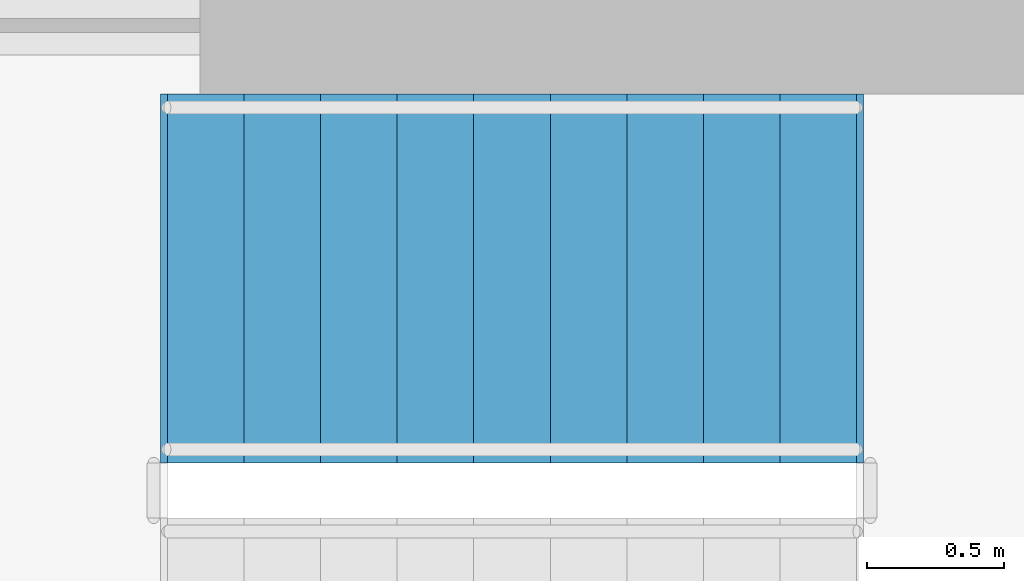
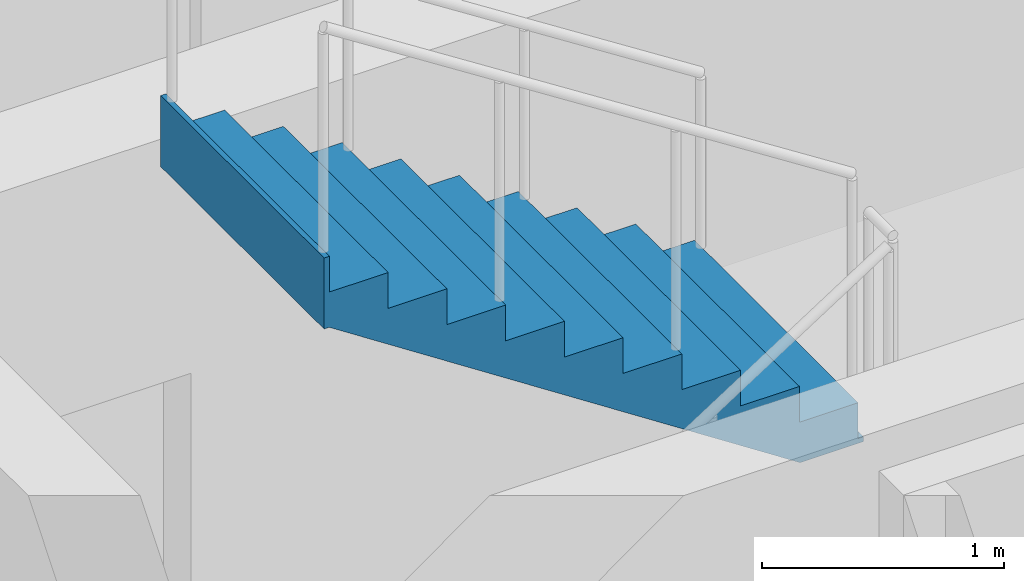
# One storey, part 24 of 26: 1 stair flight, 1 element without a shape of its own.
"""IFC4 building model written with IfcOpenShell, lengths in metres."""

from ifc_helpers import new_model, si_unit, direction, frame, origin, place, context, subcontext, project, spatial, polyline, outline, extrude, material, type_object, element, aggregate, save


model = new_model("IFC4")

# Units and contexts
model_context = context("Model", 3, precision=1e-05, world=origin(), true_north=direction((0.0, 1.0)))
body_context = subcontext(model_context, "Body", "Model", "MODEL_VIEW")
ifc_project = project(units=[si_unit("LENGTHUNIT", "METRE"), si_unit("AREAUNIT", "SQUARE_METRE"), si_unit("VOLUMEUNIT", "CUBIC_METRE"), si_unit("PLANEANGLEUNIT", "RADIAN"), si_unit("MASSUNIT", "GRAM", prefix="KILO")], contexts=[model_context])

# Site, building, storey
site_placement = place(None, origin())
site = spatial("IfcSite", under=ifc_project, at=site_placement, CompositionType="ELEMENT")
building_placement = place(site_placement, origin())
building = spatial("IfcBuilding", under=site, at=building_placement, Name="Barlavira Tower and Art Museum", CompositionType="ELEMENT")
storey_placement = place(building_placement, frame((0.0, 0.0, 82.800048828125)))
storey = spatial("IfcBuildingStorey", under=building, at=storey_placement, Name="L20", CompositionType="ELEMENT", Elevation=82.800048828125)

# Stair, stair flight
ifc_material_1 = material(Name="Concrete C45", Category="concrete")
stair_type = type_object("IfcStairType", Name="Tower North Dog-Leg Exit Stair Assembly Concrete C45", PredefinedType="TWO_QUARTER_TURN_STAIR", material=ifc_material_1)
stair_placement = place(storey_placement, origin())
stair = element("IfcStair", 1, at=stair_placement, inside=storey, type_object=stair_type, Name="L20 Tower North Exit Stair ST-T2", PredefinedType="TWO_QUARTER_TURN_STAIR")
ifc_material_2 = material(Name="Precast concrete C45", Category="concrete")
stair_flight_type = type_object("IfcStairFlightType", Name="Tower North Dog-Leg Exit Stair Precast Flight 1350 Concrete C45", PredefinedType="STRAIGHT", material=ifc_material_2)
stair_flight_placement = place(storey_placement, frame((-1.64990234375, 6.574951171875, 1.800048828125), z_axis=(0.0, 0.0, 1.0), x_axis=(-1.0, 0.0, 0.0)))
stair_flight = element("IfcStairFlight", 2, at=stair_flight_placement, type_object=stair_flight_type, Name="ST-T2 flight 2", NumberOfRisers=10, NumberOfTreads=9, PredefinedType="STRAIGHT", RiserHeight=0.18, TreadLength=0.28, context=body_context, shape_type="SweptSolid", body=[
    extrude(outline(polyline([(-0.02490234375, 0.0), (0.0, 0.0), (0.0, 0.179931640625), (0.280029296875, 0.179931640625), (0.280029296875, 0.360107421875), (0.56005859375, 0.360107421875), (0.56005859375, 0.5400390625), (0.840087890625, 0.5400390625), (0.840087890625, 0.719970703125), (1.1201171875, 0.719970703125), (1.1201171875, 0.89990234375), (1.39990234375, 0.89990234375), (1.39990234375, 1.080078125), (1.679931640625, 1.080078125), (1.679931640625, 1.260009765625), (1.9599609375, 1.260009765625), (1.9599609375, 1.43994140625), (2.239990234375, 1.43994140625), (2.239990234375, 1.6201171875), (2.52001953125, 1.6201171875), (2.52001953125, 1.800048828125), (2.544921875, 1.800048828125), (2.544921875, 1.44189453125), (2.52001953125, 1.44189453125), (0.277099609375, -0.02490234375), (-0.02490234375, -0.02490234375), (-0.02490234375, 0.0)])), frame((0.0, 0.675048828125, 0.0), z_axis=(0.0, -1.0, 0.0), x_axis=(1.0, 0.0, 0.0)), (0.0, 0.0, 1.0), 1.35009765625),
])
aggregate(stair, [stair_flight])

save(model, "model.ifc")
